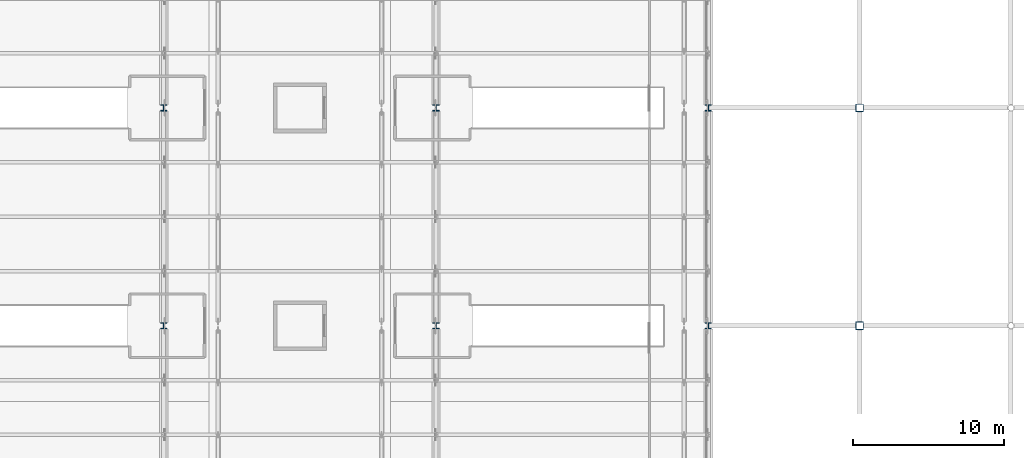
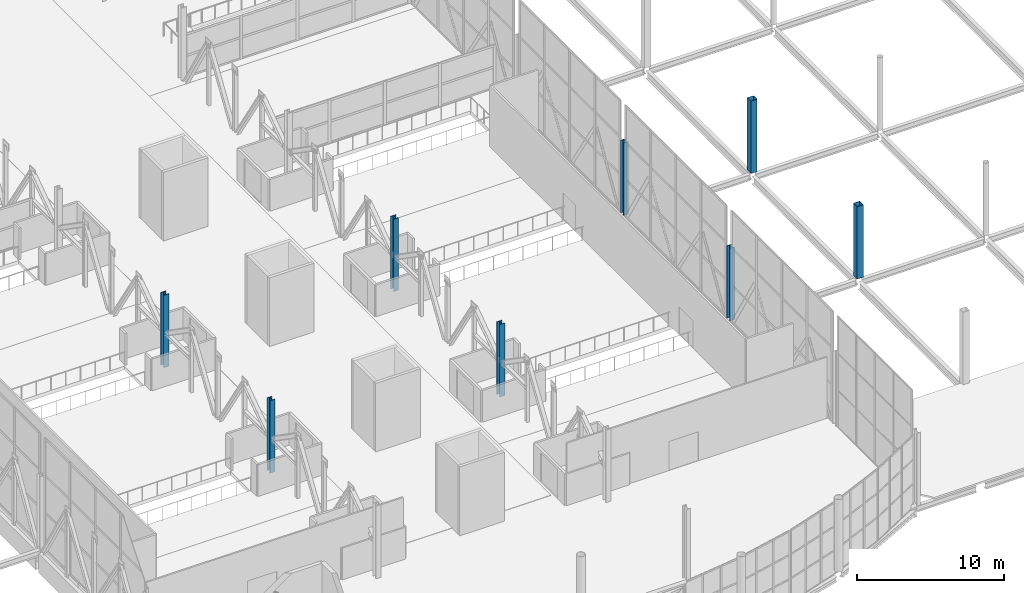
# One storey, part 6 of 191: 8 columns.
"""IFC4 building model written with IfcOpenShell, lengths in metres."""

from ifc_helpers import new_model, si_unit, direction, frame, origin, origin_2d, place, context, subcontext, project, spatial, hollow_rectangle, i_section, extrude, material, material_profile, profile_set, type_object, element, save


model = new_model("IFC4")

# Units and contexts
model_context = context("Model", 3, precision=1e-05, world=origin(), true_north=direction((0.0, 1.0)))
body_context = subcontext(model_context, "Body", "Model", "MODEL_VIEW")
ifc_project = project(units=[si_unit("LENGTHUNIT", "METRE"), si_unit("AREAUNIT", "SQUARE_METRE"), si_unit("VOLUMEUNIT", "CUBIC_METRE"), si_unit("PLANEANGLEUNIT", "RADIAN"), si_unit("MASSUNIT", "GRAM", prefix="KILO")], contexts=[model_context])

# Site, building, storey
site_placement = place(None, origin())
site = spatial("IfcSite", under=ifc_project, at=site_placement, CompositionType="ELEMENT")
building_placement = place(site_placement, origin())
building = spatial("IfcBuilding", under=site, at=building_placement, Name="Tamarisk Ironworks Central Station", CompositionType="ELEMENT")
storey_placement = place(building_placement, frame((0.0, 0.0, 6.60009765625)))
storey = spatial("IfcBuildingStorey", under=building, at=storey_placement, Name="L01", CompositionType="ELEMENT", Elevation=6.60009765625)

# Columns
ifc_material_1 = material(Name="Structural steel S355J2", Category="steel")
ifc_material_profile_1 = material_profile(ifc_material_1, i_section(OverallWidth=0.406005859375, OverallDepth=0.416015625, WebThickness=0.022705078125, FlangeThickness=0.034912109375, at=origin_2d()), Name="HD 400x382")
ifc_profile_set_1 = profile_set([ifc_material_profile_1], Name="Structural steel S355J2")
column_type_1 = type_object("IfcColumnType", Name="COL-S02", PredefinedType="COLUMN", material=ifc_profile_set_1)
for number, where, z_axis, x_axis, name in (
    (1, (72.0, 36.0, 0.0), (0.0, 0.0, 1.0), (1.0, 0.0, 0.0), "L01 column V2-09D"),
    (2, (72.0, 50.39990234375, 0.0), (0.0, 0.0, 1.0), (1.0, 0.0, 0.0), "L01 column V2-09E"),
    (3, (90.0, 36.0, 0.0), (0.0, 0.0, 1.0), (1.0, 0.0, 0.0), "L01 column V2-12D"),
    (4, (90.0, 50.39990234375, 0.0), (0.0, 0.0, 1.0), (1.0, 0.0, 0.0), "L01 column V2-12E"),
    (5, (108.0, 36.0, 0.0), (0.0, 0.0, 1.0), (1.0, 0.0, 0.0), "L01 column V2-14D"),
    (6, (108.0, 50.39990234375, 0.0), (0.0, 0.0, 1.0), (1.0, 0.0, 0.0), "L01 column V2-14E"),
):
    element("IfcColumn", number, at=place(storey_placement, frame(where, z_axis=z_axis, x_axis=x_axis)), inside=storey, type_object=column_type_1, Name=name, PredefinedType="COLUMN", context=body_context, shape_type="SweptSolid", body=[
        extrude(i_section(OverallWidth=0.406005859375, OverallDepth=0.416015625, WebThickness=0.022705078125, FlangeThickness=0.034912109375, at=origin_2d()), origin(), (0.0, 0.0, 1.0), 6.0),
    ])
ifc_material_2 = material(Name="Structural steel S355J2H", Category="steel")
ifc_material_profile_2 = material_profile(ifc_material_2, hollow_rectangle(XDim=0.5, YDim=0.5, WallThickness=0.02001953125, at=origin_2d()), Name="SHS 500x500x20")
ifc_profile_set_2 = profile_set([ifc_material_profile_2], Name="Structural steel S355J2H")
column_type_2 = type_object("IfcColumnType", Name="COL-S13", PredefinedType="COLUMN", material=ifc_profile_set_2)
for number, where, z_axis, x_axis, name in (
    (7, (118.0, 36.0, 0.0), (0.0, 0.0, 1.0), (1.0, 0.0, 0.0), "L01 column V1-15D"),
    (8, (118.0, 50.39990234375, 0.0), (0.0, 0.0, 1.0), (1.0, 0.0, 0.0), "L01 column V1-15E"),
):
    element("IfcColumn", number, at=place(storey_placement, frame(where, z_axis=z_axis, x_axis=x_axis)), inside=storey, type_object=column_type_2, Name=name, PredefinedType="COLUMN", context=body_context, shape_type="SweptSolid", body=[
        extrude(hollow_rectangle(XDim=0.5, YDim=0.5, WallThickness=0.02001953125, at=origin_2d()), origin(), (0.0, 0.0, 1.0), 6.0),
    ])

save(model, "model.ifc")
